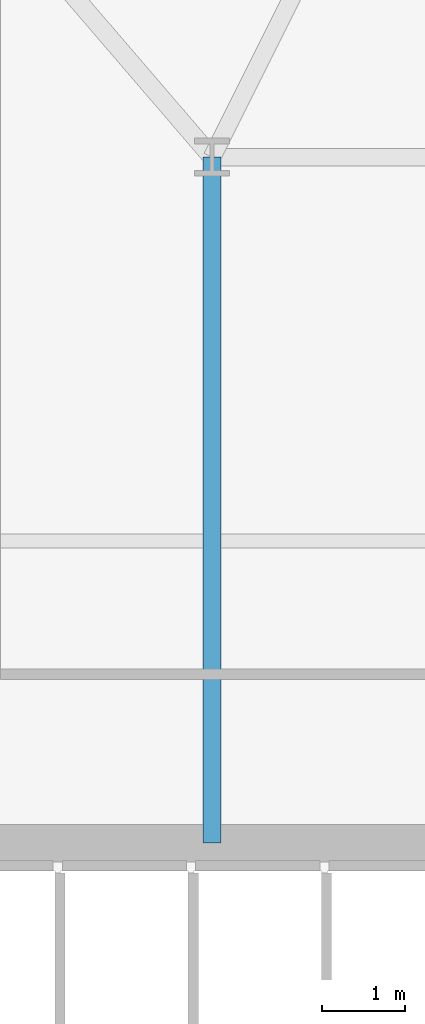
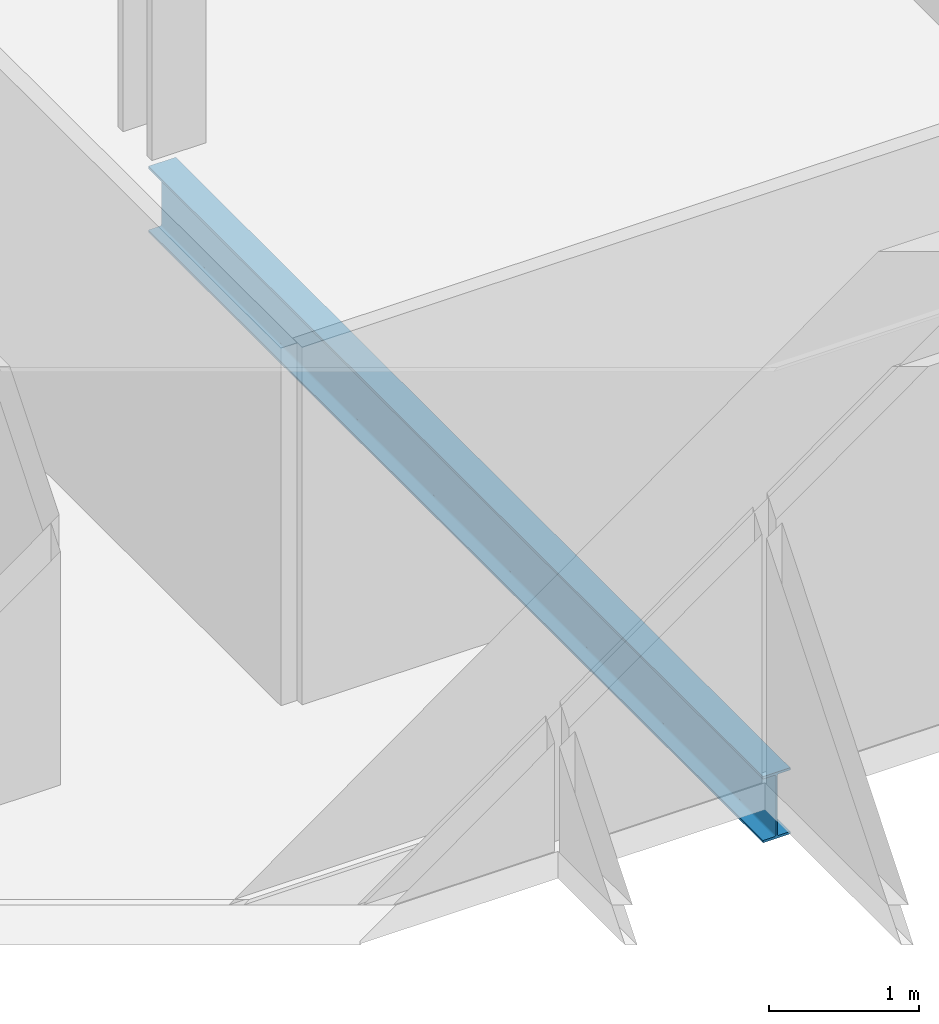
# One storey, part 6 of 32: 1 beam.
"""IFC4 building model written with IfcOpenShell, lengths in metres."""

from ifc_helpers import new_model, si_unit, direction, frame, origin, origin_2d, place, context, subcontext, project, spatial, i_section, extrude, material, material_profile, profile_set, type_object, element, save


model = new_model("IFC4")

# Units and contexts
model_context = context("Model", 3, precision=1e-05, world=origin(), true_north=direction((0.0, 1.0)))
body_context = subcontext(model_context, "Body", "Model", "MODEL_VIEW")
ifc_project = project(units=[si_unit("LENGTHUNIT", "METRE"), si_unit("AREAUNIT", "SQUARE_METRE"), si_unit("VOLUMEUNIT", "CUBIC_METRE"), si_unit("PLANEANGLEUNIT", "RADIAN"), si_unit("MASSUNIT", "GRAM", prefix="KILO")], contexts=[model_context])

# Site, building, storey
site_placement = place(None, origin())
site = spatial("IfcSite", under=ifc_project, at=site_placement, CompositionType="ELEMENT")
building_placement = place(site_placement, origin())
building = spatial("IfcBuilding", under=site, at=building_placement, Name="Ndaravel Arena Tower", CompositionType="ELEMENT")
storey_placement = place(building_placement, frame((0.0, 0.0, 74.0)))
storey = spatial("IfcBuildingStorey", under=building, at=storey_placement, Name="L16", CompositionType="ELEMENT", Elevation=74.0)

# Beam
ifc_material = material(Name="Steel S355", Category="steel")
ifc_material_profile = material_profile(ifc_material, i_section(OverallWidth=0.210693359375, OverallDepth=0.53955078125, WebThickness=0.01171875, FlangeThickness=0.018798828125, FilletRadius=0.0126953125, at=origin_2d()), Name="UB 533x210x109")
ifc_profile_set = profile_set([ifc_material_profile], Name="Steel S355")
beam_type = type_object("IfcBeamType", Name="BM-GIRD-UB533", PredefinedType="BEAM", material=ifc_profile_set)
beam_placement = place(storey_placement, frame((34.199951171875, 14.97998046875, -0.48974609375), z_axis=(0.0, 1.0, 0.0), x_axis=(-1.0, 0.0, 0.0)))
element("IfcBeam", 1, at=beam_placement, inside=storey, type_object=beam_type, Name="L16 Spine Link Girder SLG-01", PredefinedType="BEAM", context=body_context, shape_type="SweptSolid", body=[
    extrude(i_section(OverallWidth=0.210693359375, OverallDepth=0.53955078125, WebThickness=0.01171875, FlangeThickness=0.018798828125, FilletRadius=0.0126953125, at=origin_2d()), origin(), (0.0, 0.0, 1.0), 8.219970703125),
])

save(model, "model.ifc")
